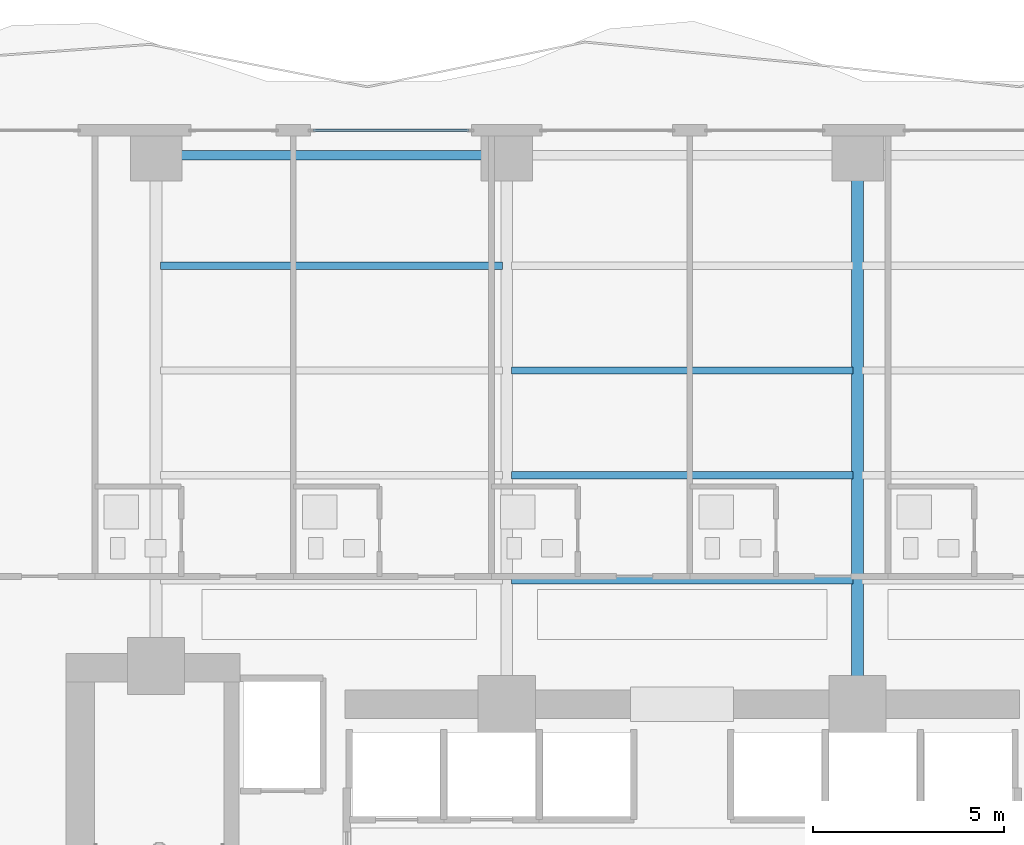
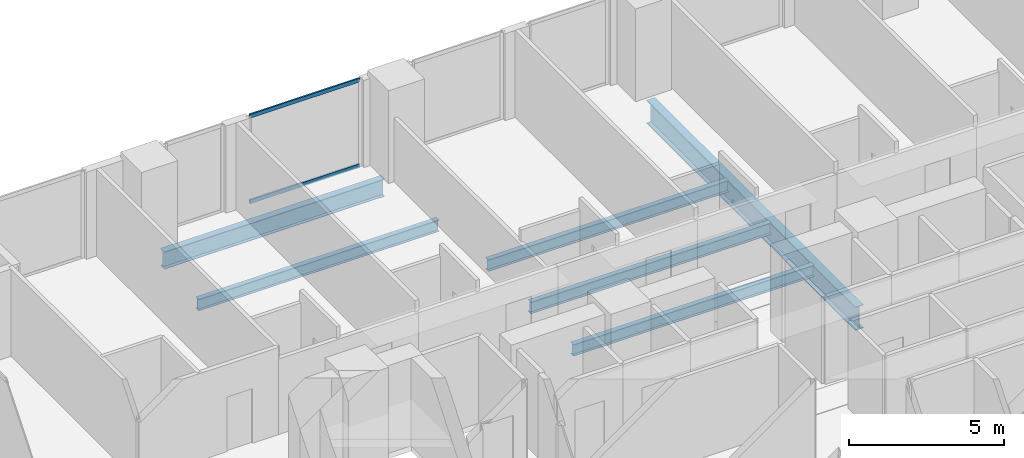
# One storey, part 16 of 29: 6 beams, 2 members, 1 element without a shape of its own.
"""IFC4 building model written with IfcOpenShell, lengths in metres."""

import ifcopenshell
import ifcopenshell.guid

model = None  # the IFC model being written
_history = None  # IfcOwnerHistory: only IFC2X3 demands one
_inside = {}  # id of a spatial element -> (the spatial element, [elements in it])
_under = {}  # id of a project, library or spatial element -> (it, [spatial elements below it])
_declared = {}  # id of a project -> (the project, [libraries it declares])
_typed = {}  # id of a type object -> (the type object, [elements of that type])
_made_of = {}  # id of a material, layer set ... -> (it, [elements and type objects made of it])


def new_model(schema):
    """Start an empty IFC model of exactly this schema.

    Asked for "IFC4X3", IfcOpenShell would pick the latest addendum, in which some entities
    have other attributes; the version numbers below select the first issue.
    IFC2X3 requires an IfcOwnerHistory on every rooted entity: one is made here for all.
    """
    global model, _history
    if schema == "IFC4X3":
        model = ifcopenshell.file(schema_version=(4, 3, 0, 0))
    else:
        model = ifcopenshell.file(schema=schema)
    _inside.clear()
    _under.clear()
    _declared.clear()
    _typed.clear()
    _made_of.clear()
    _history = None
    if model.schema == "IFC2X3":
        org = make("IfcOrganization", Name="unknown")
        user = make(
            "IfcPersonAndOrganization",
            ThePerson=make("IfcPerson", FamilyName="unknown"),
            TheOrganization=org,
        )
        app = make(
            "IfcApplication",
            ApplicationDeveloper=org,
            Version="unknown",
            ApplicationFullName="unknown",
            ApplicationIdentifier="unknown",
        )
        _history = make(
            "IfcOwnerHistory",
            OwningUser=user,
            OwningApplication=app,
            ChangeAction="ADDED",
            CreationDate=0,
        )
    return model


def make(cls, **values):
    """One entity of the class cls with the attributes given. An attribute that is None is left unset."""
    return model.create_entity(
        cls, **{name: value for name, value in values.items() if value is not None}
    )


def rooted(cls, **values):
    """An entity with a GlobalId (a new one), such as an element, a storey or a relation."""
    return make(cls, GlobalId=ifcopenshell.guid.new(), OwnerHistory=_history, **values)


def si_unit(unit_type, name, prefix=None):
    """IfcSIUnit, for example si_unit("LENGTHUNIT", "METRE", prefix="MILLI")."""
    return make("IfcSIUnit", UnitType=unit_type, Prefix=prefix, Name=name)


def assignment(units):
    """IfcUnitAssignment: the units of a project."""
    return None if units is None else make("IfcUnitAssignment", Units=units)


def point(xyz):
    """IfcCartesianPoint."""
    return None if xyz is None else make("IfcCartesianPoint", Coordinates=xyz)


def direction(xyz):
    """IfcDirection."""
    return None if xyz is None else make("IfcDirection", DirectionRatios=xyz)


def frame(location, z_axis=None, x_axis=None):
    """IfcAxis2Placement3D, a coordinate frame: its origin and axes. An axis left out is left unset."""
    return make(
        "IfcAxis2Placement3D",
        Location=point(location),
        Axis=direction(z_axis),
        RefDirection=direction(x_axis),
    )


def frame_2d(location, x_axis=None):
    """IfcAxis2Placement2D, a coordinate frame in the plane: its origin and x axis."""
    return make(
        "IfcAxis2Placement2D", Location=point(location), RefDirection=direction(x_axis)
    )


def origin():
    """The frame at (0, 0, 0) with its axes left unset."""
    return frame((0.0, 0.0, 0.0))


def origin_2d():
    """The frame at (0, 0) in the plane with its x axis left unset."""
    return frame_2d((0.0, 0.0))


def place(relative_to, where):
    """IfcLocalPlacement: puts the frame where relative to a parent placement (None: the world)."""
    return make(
        "IfcLocalPlacement", PlacementRelTo=relative_to, RelativePlacement=where
    )


def context(
    kind, dimensions, precision=None, world=None, true_north=None, identifier=None
):
    """IfcGeometricRepresentationContext, for example the 3D "Model" context."""
    return make(
        "IfcGeometricRepresentationContext",
        ContextIdentifier=identifier,
        ContextType=kind,
        CoordinateSpaceDimension=dimensions,
        Precision=precision,
        WorldCoordinateSystem=world,
        TrueNorth=true_north,
    )


def subcontext(parent, identifier, kind, view, scale=None):
    """IfcGeometricRepresentationSubContext, for example "Body" below "Model"."""
    return make(
        "IfcGeometricRepresentationSubContext",
        ContextIdentifier=identifier,
        ContextType=kind,
        ParentContext=parent,
        TargetScale=scale,
        TargetView=view,
    )


def project(units=None, contexts=None):
    """IfcProject with its units and contexts."""
    return rooted(
        "IfcProject",
        Name="project",
        RepresentationContexts=contexts,
        UnitsInContext=assignment(units),
    )


def spatial(cls, under=None, at=None, **own):
    """A site, building, storey or space (cls), placed at a placement, below another one or the project."""
    s = rooted(cls, ObjectPlacement=at, **own)
    if under is not None:
        _under.setdefault(under.id(), (under, []))[1].append(s)
    return s


def profile(cls, at=None, kind="AREA", **sizes):
    """A parametric profile (cls). Its sizes go by their IFC names, for example OverallWidth=200.0."""
    return make(cls, ProfileType=kind, Position=at, **sizes)


def hollow_rectangle(**sizes):
    """IfcRectangleHollowProfileDef."""
    return profile("IfcRectangleHollowProfileDef", **sizes)


def i_section(**sizes):
    """IfcIShapeProfileDef."""
    return profile("IfcIShapeProfileDef", **sizes)


def extrude(swept, where, along, depth):
    """IfcExtrudedAreaSolid: the profile swept, set in the frame where, extruded along a direction by depth."""
    return make(
        "IfcExtrudedAreaSolid",
        SweptArea=swept,
        Position=where,
        ExtrudedDirection=direction(along),
        Depth=depth,
    )


def shape(context_of_items, identifier, shape_type, items):
    """IfcShapeRepresentation: the items that make up one representation, for example the "Body"."""
    return make(
        "IfcShapeRepresentation",
        ContextOfItems=context_of_items,
        RepresentationIdentifier=identifier,
        RepresentationType=shape_type,
        Items=items,
    )


def material(Name=None, Category=None):
    """IfcMaterial."""
    return make("IfcMaterial", Name=Name, Category=Category)


def layer(
    of_material, thickness, ventilated=None, Name=None, Category=None, Priority=None
):
    """IfcMaterialLayer: one layer of a wall or slab, of a material (None: an air gap)."""
    return make(
        "IfcMaterialLayer",
        Material=of_material,
        LayerThickness=thickness,
        IsVentilated=ventilated,
        Name=Name,
        Category=Category,
        Priority=Priority,
    )


def layer_set(layers, Name=None):
    """IfcMaterialLayerSet."""
    return make("IfcMaterialLayerSet", MaterialLayers=layers, LayerSetName=Name)


def material_profile(
    of_material, cross_section, Name=None, Category=None, Priority=None
):
    """IfcMaterialProfile: a cross section and its material."""
    return make(
        "IfcMaterialProfile",
        Name=Name,
        Material=of_material,
        Profile=cross_section,
        Priority=Priority,
        Category=Category,
    )


def profile_set(profiles, Name=None, composite=None):
    """IfcMaterialProfileSet."""
    return make(
        "IfcMaterialProfileSet",
        Name=Name,
        MaterialProfiles=profiles,
        CompositeProfile=composite,
    )


def made_of(thing, what):
    """Note that an element or type object is made of a material, layer set ...; save() writes the relation."""
    if what is not None:
        _made_of.setdefault(what.id(), (what, []))[1].append(thing)
    return thing


def type_object(cls, material=None, **own):
    """A type object (cls), such as IfcWallType, which elements share."""
    return made_of(rooted(cls, **own), material)


def element(
    cls,
    number,
    at=None,
    inside=None,
    cuts=None,
    type_object=None,
    material=None,
    context=None,
    identifier="Body",
    shape_type=None,
    held_by="IfcProductDefinitionShape",
    body=None,
    shapes=None,
    **own,
):
    """One element of the class cls, such as IfcWall. Its Tag is "e" and its number.

    at: its placement. inside: the storey or other place that contains it. cuts: it is an
    opening in that element (IfcRelVoidsElement). A single representation is given by context,
    identifier, shape_type and body (its items); several are given by shapes. held_by: the class
    of the entity that holds the representations. save() writes the other relations.
    """
    e = rooted(cls, Tag="e%d" % number, ObjectPlacement=at, **own)
    if body is not None:
        shapes = [shape(context, identifier, shape_type, body)]
    if shapes is not None:
        e.Representation = make(held_by, Representations=shapes)
    if inside is not None:
        _inside.setdefault(inside.id(), (inside, []))[1].append(e)
    if cuts is not None:
        rooted(
            "IfcRelVoidsElement", RelatingBuildingElement=cuts, RelatedOpeningElement=e
        )
    if type_object is not None:
        _typed.setdefault(type_object.id(), (type_object, []))[1].append(e)
    return made_of(e, material)


def aggregate(whole, parts):
    """IfcRelAggregates: a whole, such as a stair, and the parts it consists of."""
    return rooted("IfcRelAggregates", RelatingObject=whole, RelatedObjects=parts)


def save(model, path):
    """Write the relations noted so far, then the file.

    IfcRelAggregates (storeys below a building ...), IfcRelContainedInSpatialStructure (elements
    in a storey), IfcRelDefinesByType, IfcRelAssociatesMaterial and IfcRelDeclares: one each for
    every whole, place, type object, material and project.
    """
    for whole, parts in _under.values():
        aggregate(whole, parts)
    for where, things in _inside.values():
        rooted(
            "IfcRelContainedInSpatialStructure",
            RelatedElements=things,
            RelatingStructure=where,
        )
    for kind, things in _typed.values():
        rooted("IfcRelDefinesByType", RelatedObjects=things, RelatingType=kind)
    for what, things in _made_of.values():
        rooted("IfcRelAssociatesMaterial", RelatedObjects=things, RelatingMaterial=what)
    for by, libraries in _declared.values():
        rooted("IfcRelDeclares", RelatingContext=by, RelatedDefinitions=libraries)
    model.write(path)


model = new_model("IFC4")

# Units and contexts
model_context = context("Model", 3, precision=1e-05, world=origin(), true_north=direction((0.0, 1.0)))
body_context = subcontext(model_context, "Body", "Model", "MODEL_VIEW")
ifc_project = project(units=[si_unit("LENGTHUNIT", "METRE"), si_unit("AREAUNIT", "SQUARE_METRE"), si_unit("VOLUMEUNIT", "CUBIC_METRE"), si_unit("PLANEANGLEUNIT", "RADIAN"), si_unit("MASSUNIT", "GRAM", prefix="KILO")], contexts=[model_context])

# Site, building, storey
site_placement = place(None, origin())
site = spatial("IfcSite", under=ifc_project, at=site_placement, CompositionType="ELEMENT")
building_placement = place(site_placement, origin())
building = spatial("IfcBuilding", under=site, at=building_placement, Name="Zuhayl Quay Hotel", CompositionType="ELEMENT")
storey_placement = place(building_placement, frame((0.0, 0.0, 106.60009765625)))
storey = spatial("IfcBuildingStorey", under=building, at=storey_placement, Name="L26", CompositionType="ELEMENT", Elevation=106.60009765625)

# Beams
ifc_material_1 = material(Name="Steel ASTM A992 Grade 50", Category="steel")
ifc_material_profile_1 = material_profile(ifc_material_1, i_section(OverallWidth=0.25390625, OverallDepth=0.68310546875, WebThickness=0.012451171875, FlangeThickness=0.018798828125, at=origin_2d()), Name="W27X94")
ifc_profile_set_1 = profile_set([ifc_material_profile_1], Name="Steel ASTM A992 Grade 50")
beam_type_1 = type_object("IfcBeamType", Name="BM_B2_W27X94", PredefinedType="BEAM", material=ifc_profile_set_1)
beam_1_placement = place(storey_placement, frame((-5.10009765625, 27.75, -0.5615234375), z_axis=(-1.0, 0.0, 0.0), x_axis=(0.0, -1.0, 0.0)))
element("IfcBeam", 1, at=beam_1_placement, inside=storey, type_object=beam_type_1, Name="L26 Floor Beam RG_L26_09", PredefinedType="BEAM", context=body_context, shape_type="SweptSolid", body=[
    extrude(i_section(OverallWidth=0.25390625, OverallDepth=0.68310546875, WebThickness=0.012451171875, FlangeThickness=0.018798828125, at=origin_2d()), origin(), (0.0, 0.0, 1.0), 8.199951171875),
])
ifc_material_profile_2 = material_profile(ifc_material_1, i_section(OverallWidth=0.18994140625, OverallDepth=0.45703125, WebThickness=0.009033203125, FlangeThickness=0.014404296875, at=origin_2d()), Name="W18X50")
ifc_profile_set_2 = profile_set([ifc_material_profile_2], Name="Steel ASTM A992 Grade 50")
beam_type_2 = type_object("IfcBeamType", Name="BM_J2_W18X50", PredefinedType="JOIST", material=ifc_profile_set_2)
for number, where, z_axis, x_axis, name in (
    (2, (-4.48095703125, 16.60009765625, -0.448486328125), (1.0, 0.0, 0.0), (0.0, 1.0, 0.0), "L26 Floor Beam FJ_L26_1_2"),
    (3, (-4.48095703125, 19.35009765625, -0.448486328125), (1.0, 0.0, 0.0), (0.0, 1.0, 0.0), "L26 Floor Beam FJ_L26_2_2"),
    (4, (-4.48095703125, 22.10009765625, -0.448486328125), (1.0, 0.0, 0.0), (0.0, 1.0, 0.0), "L26 Floor Beam FJ_L26_3_2"),
    (5, (-13.680908203125, 24.85009765625, -0.448486328125), (1.0, 0.0, 0.0), (0.0, 1.0, 0.0), "L26 Floor Beam FJ_L26_4_1"),
):
    element("IfcBeam", number, at=place(storey_placement, frame(where, z_axis=z_axis, x_axis=x_axis)), inside=storey, type_object=beam_type_2, Name=name, PredefinedType="JOIST", context=body_context, shape_type="SweptSolid", body=[
        extrude(i_section(OverallWidth=0.18994140625, OverallDepth=0.45703125, WebThickness=0.009033203125, FlangeThickness=0.014404296875, at=origin_2d()), origin(), (0.0, 0.0, 1.0), 8.9619140625),
    ])
ifc_material_profile_3 = material_profile(ifc_material_1, i_section(OverallWidth=0.306884765625, OverallDepth=0.927001953125, WebThickness=0.019287109375, FlangeThickness=0.031982421875, at=origin_2d()), Name="W36X194")
ifc_profile_set_3 = profile_set([ifc_material_profile_3], Name="Steel ASTM A992 Grade 50")
beam_type_3 = type_object("IfcBeamType", Name="BM_PG2_W36X194", PredefinedType="BEAM", material=ifc_profile_set_3)
beam_2_placement = place(storey_placement, frame((4.60009765625, 13.800048828125, -0.68359375), z_axis=(0.0, 1.0, 0.0), x_axis=(-1.0, 0.0, 0.0)))
element("IfcBeam", 6, at=beam_2_placement, inside=storey, type_object=beam_type_3, Name="L26 Floor Beam FG_N_L26_3", PredefinedType="BEAM", context=body_context, shape_type="SweptSolid", body=[
    extrude(i_section(OverallWidth=0.306884765625, OverallDepth=0.927001953125, WebThickness=0.019287109375, FlangeThickness=0.031982421875, at=origin_2d()), origin(), (0.0, 0.0, 1.0), 13.449951171875),
])

# Curtain wall, members
ifc_material_2 = material(Name="Anodised Aluminium 6063-T6", Category="aluminium")
ifc_layer = layer(ifc_material_2, 0.179931640625, Name="Anodised Aluminium 6063-T6", Category="aluminium")
ifc_layer_set = layer_set([ifc_layer], Name="Anodised Aluminium 6063-T6")
curtain_wall_type = type_object("IfcCurtainWallType", Name="CW_SYS_Z2", PredefinedType="USERDEFINED", material=ifc_layer_set)
curtain_wall_placement = place(storey_placement, origin())
curtain_wall = element("IfcCurtainWall", 7, at=curtain_wall_placement, inside=storey, type_object=curtain_wall_type, Name="L26 Curtain Wall ENV_L26_N_CW3", ObjectType="UNITISED CURTAIN WALL", PredefinedType="USERDEFINED")
ifc_material_3 = material(Name="Black-anodised aluminium 6063-T6", Category="aluminium")
ifc_material_profile_4 = material_profile(ifc_material_3, hollow_rectangle(XDim=0.06005859375, YDim=0.14990234375, WallThickness=0.00341796875, at=origin_2d()), Name="ALU150X60")
ifc_profile_set_4 = profile_set([ifc_material_profile_4], Name="Black-anodised aluminium 6063-T6")
member_type = type_object("IfcMemberType", Name="MB_CW_TRN_150", PredefinedType="USERDEFINED", material=ifc_profile_set_4)
member_1_placement = place(storey_placement, frame((-9.68505859375, 28.39990234375, 0.02978515625), z_axis=(1.0, 0.0, 0.0), x_axis=(0.0, 1.0, 0.0)))
member_1 = element("IfcMember", 8, at=member_1_placement, type_object=member_type, Name="CW-Z2 transom 1.1", ObjectType="TRANSOM", PredefinedType="USERDEFINED", context=body_context, shape_type="SweptSolid", body=[
    extrude(hollow_rectangle(XDim=0.06005859375, YDim=0.14990234375, WallThickness=0.00341796875, at=origin_2d()), origin(), (0.0, 0.0, 1.0), 4.10009765625),
])
member_2_placement = place(storey_placement, frame((-9.68505859375, 28.39990234375, 3.39990234375), z_axis=(1.0, 0.0, 0.0), x_axis=(0.0, 1.0, 0.0)))
member_2 = element("IfcMember", 9, at=member_2_placement, type_object=member_type, Name="CW-Z2 transom 1.2", ObjectType="TRANSOM", PredefinedType="USERDEFINED", context=body_context, shape_type="SweptSolid", body=[
    extrude(hollow_rectangle(XDim=0.06005859375, YDim=0.14990234375, WallThickness=0.00341796875, at=origin_2d()), origin(), (0.0, 0.0, 1.0), 4.10009765625),
])
aggregate(curtain_wall, [member_1, member_2])

save(model, "model.ifc")
